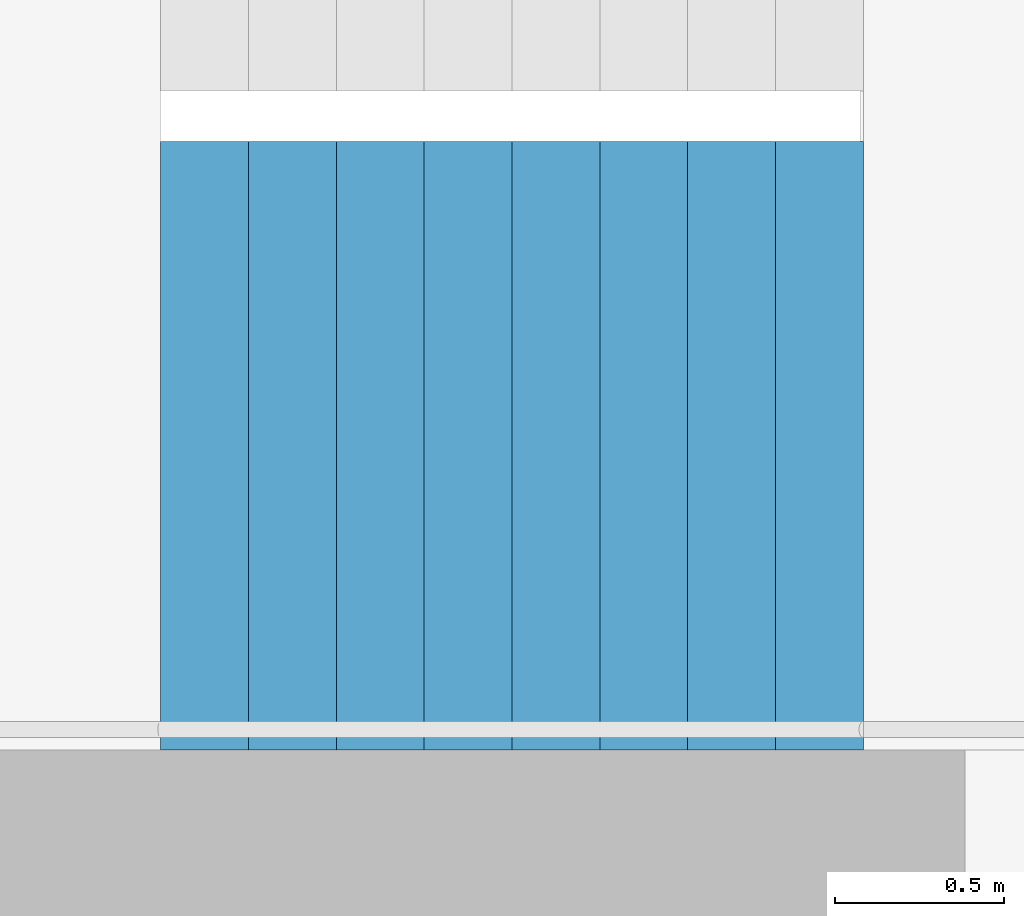
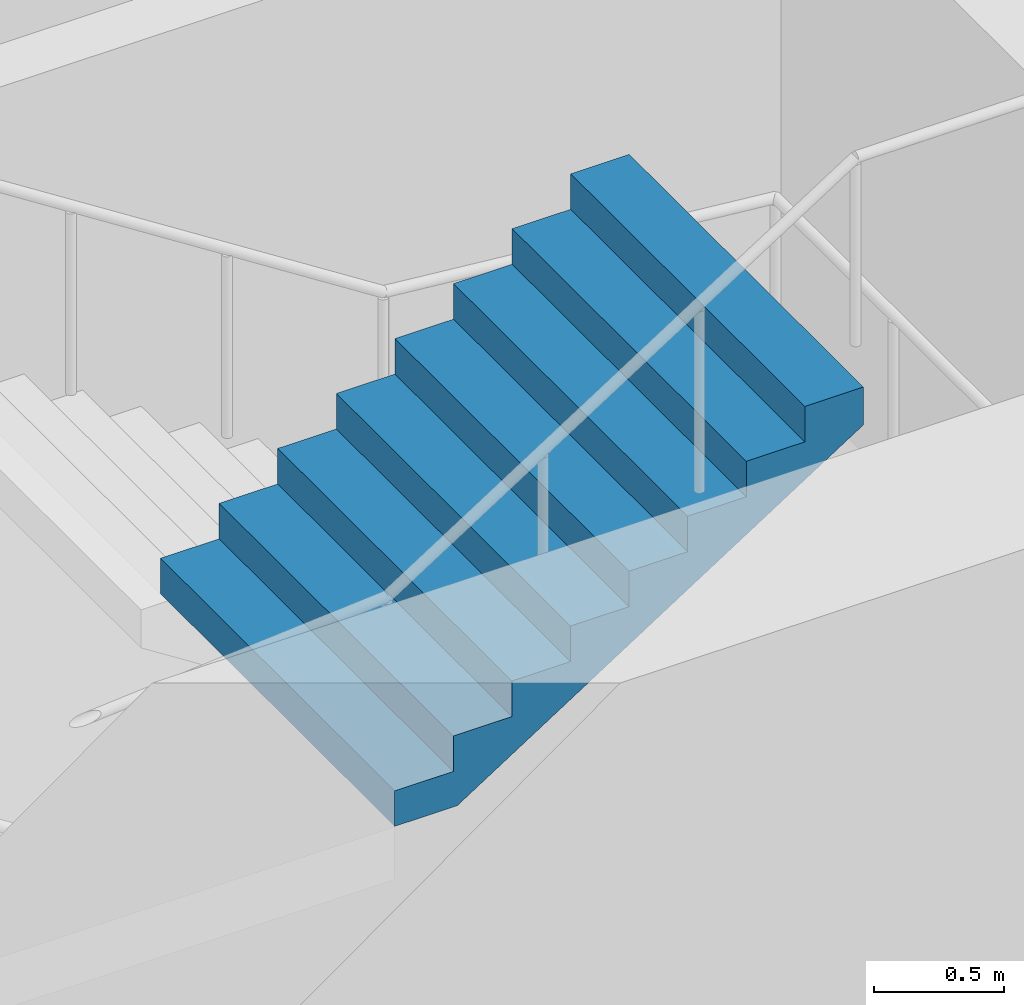
# One storey, part 19 of 35: 1 stair flight, 1 element without a shape of its own.
"""IFC4 building model written with IfcOpenShell, lengths in metres."""

from ifc_helpers import new_model, si_unit, direction, frame, origin, place, context, subcontext, project, spatial, triangles, material, type_object, element, aggregate, save


model = new_model("IFC4")

# Units and contexts
model_context = context("Model", 3, precision=1e-05, world=origin(), true_north=direction((0.0, 1.0)))
body_context = subcontext(model_context, "Body", "Model", "MODEL_VIEW")
ifc_project = project(units=[si_unit("LENGTHUNIT", "METRE"), si_unit("AREAUNIT", "SQUARE_METRE"), si_unit("VOLUMEUNIT", "CUBIC_METRE"), si_unit("PLANEANGLEUNIT", "RADIAN"), si_unit("MASSUNIT", "GRAM", prefix="KILO")], contexts=[model_context])

# Site, building, storey
site_placement = place(None, origin())
site = spatial("IfcSite", under=ifc_project, at=site_placement, CompositionType="ELEMENT")
building_placement = place(site_placement, origin())
building = spatial("IfcBuilding", under=site, at=building_placement, Name="Hakoniwa Tower and Hamabe Station Hall", CompositionType="ELEMENT")
storey_placement = place(building_placement, frame((0.0, 0.0, 270.60009765625)))
storey = spatial("IfcBuildingStorey", under=building, at=storey_placement, Name="L76", CompositionType="ELEMENT", Elevation=270.60009765625)

# Stair, stair flight
ifc_material_1 = material(Name="Concrete C40", Category="concrete")
stair_type = type_object("IfcStairType", Name="ESCAPE STAIR 1800", PredefinedType="HALF_TURN_STAIR", material=ifc_material_1)
stair_placement = place(storey_placement, origin())
stair = element("IfcStair", 1, at=stair_placement, inside=storey, type_object=stair_type, Name="Escape stair ST-2 L76", PredefinedType="HALF_TURN_STAIR")
ifc_material_2 = material(Name="Concrete C40", Category="concrete")
stair_flight_type = type_object("IfcStairFlightType", Name="STAIR FLIGHT 1800", PredefinedType="STRAIGHT", material=ifc_material_2)
stair_flight_placement = place(storey_placement, frame((-25.47998046875, -6.60009765625, 4.5), z_axis=(0.0, 0.0, 1.0), x_axis=(1.0, 0.0, 0.0)))
stair_flight = element("IfcStairFlight", 2, at=stair_flight_placement, type_object=stair_flight_type, Name="ST-2 flight 4", NumberOfRisers=9, NumberOfTreads=8, PredefinedType="STRAIGHT", RiserHeight=0.166666667, TreadLength=0.26, context=body_context, shape_type="Tessellation", body=[
    triangles([(0.0, 0.89990234375, 0.0), (0.260009765625, 0.89990234375, 0.0), (0.27783203125, 0.89990234375, 0.0), (0.52001953125, 0.89990234375, 0.1552734375), (0.780029296875, 0.89990234375, 0.322021484375), (1.0400390625, 0.89990234375, 0.488525390625), (1.300048828125, 0.89990234375, 0.6552734375), (1.56005859375, 0.89990234375, 0.822021484375), (1.820068359375, 0.89990234375, 0.988525390625), (2.080078125, 0.89990234375, 1.1552734375), (2.080078125, 0.89990234375, 1.333251953125), (1.820068359375, 0.89990234375, 1.333251953125), (1.820068359375, 0.89990234375, 1.166748046875), (1.56005859375, 0.89990234375, 1.166748046875), (1.56005859375, 0.89990234375, 1.0), (1.300048828125, 0.89990234375, 1.0), (1.300048828125, 0.89990234375, 0.833251953125), (1.0400390625, 0.89990234375, 0.833251953125), (1.0400390625, 0.89990234375, 0.666748046875), (0.780029296875, 0.89990234375, 0.666748046875), (0.780029296875, 0.89990234375, 0.5), (0.52001953125, 0.89990234375, 0.5), (0.52001953125, 0.89990234375, 0.333251953125), (0.27783203125, 0.89990234375, 0.333251953125), (0.260009765625, 0.89990234375, 0.333251953125), (0.260009765625, 0.89990234375, 0.166748046875), (0.0, 0.89990234375, 0.166748046875), (0.0, 0.06005859375, 0.0), (0.260009765625, 0.06005859375, 0.0), (0.27783203125, 0.06005859375, 0.0), (0.52001953125, 0.06005859375, 0.1552734375), (0.780029296875, 0.06005859375, 0.322021484375), (1.0400390625, 0.06005859375, 0.488525390625), (1.300048828125, 0.06005859375, 0.6552734375), (1.56005859375, 0.06005859375, 0.822021484375), (1.820068359375, 0.06005859375, 0.988525390625), (2.080078125, 0.06005859375, 1.1552734375), (2.080078125, 0.06005859375, 1.333251953125), (1.820068359375, 0.06005859375, 1.333251953125), (1.820068359375, 0.06005859375, 1.166748046875), (1.56005859375, 0.06005859375, 1.166748046875), (1.56005859375, 0.06005859375, 1.0), (1.300048828125, 0.06005859375, 1.0), (1.300048828125, 0.06005859375, 0.833251953125), (1.0400390625, 0.06005859375, 0.833251953125), (1.0400390625, 0.06005859375, 0.666748046875), (0.780029296875, 0.06005859375, 0.666748046875), (0.780029296875, 0.06005859375, 0.5), (0.52001953125, 0.06005859375, 0.5), (0.52001953125, 0.06005859375, 0.333251953125), (0.27783203125, 0.06005859375, 0.333251953125), (0.260009765625, 0.06005859375, 0.333251953125), (0.260009765625, 0.06005859375, 0.166748046875), (0.0, 0.06005859375, 0.166748046875), (0.0, 0.04296875, 0.0), (0.260009765625, 0.04296875, 0.0), (0.27783203125, 0.04296875, 0.0), (0.52001953125, 0.04296875, 0.1552734375), (0.780029296875, 0.04296875, 0.322021484375), (1.0400390625, 0.04296875, 0.488525390625), (1.300048828125, 0.04296875, 0.6552734375), (1.56005859375, 0.04296875, 0.822021484375), (1.820068359375, 0.04296875, 0.988525390625), (2.080078125, 0.04296875, 1.1552734375), (2.080078125, 0.04296875, 1.333251953125), (1.820068359375, 0.04296875, 1.333251953125), (1.820068359375, 0.04296875, 1.166748046875), (1.56005859375, 0.04296875, 1.166748046875), (1.56005859375, 0.04296875, 1.0), (1.300048828125, 0.04296875, 1.0), (1.300048828125, 0.04296875, 0.833251953125), (1.0400390625, 0.04296875, 0.833251953125), (1.0400390625, 0.04296875, 0.666748046875), (0.780029296875, 0.04296875, 0.666748046875), (0.780029296875, 0.04296875, 0.5), (0.52001953125, 0.04296875, 0.5), (0.52001953125, 0.04296875, 0.333251953125), (0.27783203125, 0.04296875, 0.333251953125), (0.260009765625, 0.04296875, 0.333251953125), (0.260009765625, 0.04296875, 0.166748046875), (0.0, 0.04296875, 0.166748046875), (0.0, 0.025634765625, 0.0), (0.260009765625, 0.025634765625, 0.0), (0.27783203125, 0.025634765625, 0.0), (0.52001953125, 0.025634765625, 0.1552734375), (0.780029296875, 0.025634765625, 0.322021484375), (1.0400390625, 0.025634765625, 0.488525390625), (1.300048828125, 0.025634765625, 0.6552734375), (1.56005859375, 0.025634765625, 0.822021484375), (1.820068359375, 0.025634765625, 0.988525390625), (2.080078125, 0.025634765625, 1.1552734375), (2.080078125, 0.025634765625, 1.333251953125), (1.820068359375, 0.025634765625, 1.333251953125), (1.820068359375, 0.025634765625, 1.166748046875), (1.56005859375, 0.025634765625, 1.166748046875), (1.56005859375, 0.025634765625, 1.0), (1.300048828125, 0.025634765625, 1.0), (1.300048828125, 0.025634765625, 0.833251953125), (1.0400390625, 0.025634765625, 0.833251953125), (1.0400390625, 0.025634765625, 0.666748046875), (0.780029296875, 0.025634765625, 0.666748046875), (0.780029296875, 0.025634765625, 0.5), (0.52001953125, 0.025634765625, 0.5), (0.52001953125, 0.025634765625, 0.333251953125), (0.27783203125, 0.025634765625, 0.333251953125), (0.260009765625, 0.025634765625, 0.333251953125), (0.260009765625, 0.025634765625, 0.166748046875), (0.0, 0.025634765625, 0.166748046875), (0.0, 0.008544921875, 0.0), (0.260009765625, 0.008544921875, 0.0), (0.27783203125, 0.008544921875, 0.0), (0.52001953125, 0.008544921875, 0.1552734375), (0.780029296875, 0.008544921875, 0.322021484375), (1.0400390625, 0.008544921875, 0.488525390625), (1.300048828125, 0.008544921875, 0.6552734375), (1.56005859375, 0.008544921875, 0.822021484375), (1.820068359375, 0.008544921875, 0.988525390625), (2.080078125, 0.008544921875, 1.1552734375), (2.080078125, 0.008544921875, 1.333251953125), (1.820068359375, 0.008544921875, 1.333251953125), (1.820068359375, 0.008544921875, 1.166748046875), (1.56005859375, 0.008544921875, 1.166748046875), (1.56005859375, 0.008544921875, 1.0), (1.300048828125, 0.008544921875, 1.0), (1.300048828125, 0.008544921875, 0.833251953125), (1.0400390625, 0.008544921875, 0.833251953125), (1.0400390625, 0.008544921875, 0.666748046875), (0.780029296875, 0.008544921875, 0.666748046875), (0.780029296875, 0.008544921875, 0.5), (0.52001953125, 0.008544921875, 0.5), (0.52001953125, 0.008544921875, 0.333251953125), (0.27783203125, 0.008544921875, 0.333251953125), (0.260009765625, 0.008544921875, 0.333251953125), (0.260009765625, 0.008544921875, 0.166748046875), (0.0, 0.008544921875, 0.166748046875), (0.0, -0.008544921875, 0.0), (0.260009765625, -0.008544921875, 0.0), (0.27783203125, -0.008544921875, 0.0), (0.52001953125, -0.008544921875, 0.1552734375), (0.780029296875, -0.008544921875, 0.322021484375), (1.0400390625, -0.008544921875, 0.488525390625), (1.300048828125, -0.008544921875, 0.6552734375), (1.56005859375, -0.008544921875, 0.822021484375), (1.820068359375, -0.008544921875, 0.988525390625), (2.080078125, -0.008544921875, 1.1552734375), (2.080078125, -0.008544921875, 1.333251953125), (1.820068359375, -0.008544921875, 1.333251953125), (1.820068359375, -0.008544921875, 1.166748046875), (1.56005859375, -0.008544921875, 1.166748046875), (1.56005859375, -0.008544921875, 1.0), (1.300048828125, -0.008544921875, 1.0), (1.300048828125, -0.008544921875, 0.833251953125), (1.0400390625, -0.008544921875, 0.833251953125), (1.0400390625, -0.008544921875, 0.666748046875), (0.780029296875, -0.008544921875, 0.666748046875), (0.780029296875, -0.008544921875, 0.5), (0.52001953125, -0.008544921875, 0.5), (0.52001953125, -0.008544921875, 0.333251953125), (0.27783203125, -0.008544921875, 0.333251953125), (0.260009765625, -0.008544921875, 0.333251953125), (0.260009765625, -0.008544921875, 0.166748046875), (0.0, -0.008544921875, 0.166748046875), (0.0, -0.025634765625, 0.0), (0.260009765625, -0.025634765625, 0.0), (0.27783203125, -0.025634765625, 0.0), (0.52001953125, -0.025634765625, 0.1552734375), (0.780029296875, -0.025634765625, 0.322021484375), (1.0400390625, -0.025634765625, 0.488525390625), (1.300048828125, -0.025634765625, 0.6552734375), (1.56005859375, -0.025634765625, 0.822021484375), (1.820068359375, -0.025634765625, 0.988525390625), (2.080078125, -0.025634765625, 1.1552734375), (2.080078125, -0.025634765625, 1.333251953125), (1.820068359375, -0.025634765625, 1.333251953125), (1.820068359375, -0.025634765625, 1.166748046875), (1.56005859375, -0.025634765625, 1.166748046875), (1.56005859375, -0.025634765625, 1.0), (1.300048828125, -0.025634765625, 1.0), (1.300048828125, -0.025634765625, 0.833251953125), (1.0400390625, -0.025634765625, 0.833251953125), (1.0400390625, -0.025634765625, 0.666748046875), (0.780029296875, -0.025634765625, 0.666748046875), (0.780029296875, -0.025634765625, 0.5), (0.52001953125, -0.025634765625, 0.5), (0.52001953125, -0.025634765625, 0.333251953125), (0.27783203125, -0.025634765625, 0.333251953125), (0.260009765625, -0.025634765625, 0.333251953125), (0.260009765625, -0.025634765625, 0.166748046875), (0.0, -0.025634765625, 0.166748046875), (0.0, -0.04296875, 0.0), (0.260009765625, -0.04296875, 0.0), (0.27783203125, -0.04296875, 0.0), (0.52001953125, -0.04296875, 0.1552734375), (0.780029296875, -0.04296875, 0.322021484375), (1.0400390625, -0.04296875, 0.488525390625), (1.300048828125, -0.04296875, 0.6552734375), (1.56005859375, -0.04296875, 0.822021484375), (1.820068359375, -0.04296875, 0.988525390625), (2.080078125, -0.04296875, 1.1552734375), (2.080078125, -0.04296875, 1.333251953125), (1.820068359375, -0.04296875, 1.333251953125), (1.820068359375, -0.04296875, 1.166748046875), (1.56005859375, -0.04296875, 1.166748046875), (1.56005859375, -0.04296875, 1.0), (1.300048828125, -0.04296875, 1.0), (1.300048828125, -0.04296875, 0.833251953125), (1.0400390625, -0.04296875, 0.833251953125), (1.0400390625, -0.04296875, 0.666748046875), (0.780029296875, -0.04296875, 0.666748046875), (0.780029296875, -0.04296875, 0.5), (0.52001953125, -0.04296875, 0.5), (0.52001953125, -0.04296875, 0.333251953125), (0.27783203125, -0.04296875, 0.333251953125), (0.260009765625, -0.04296875, 0.333251953125), (0.260009765625, -0.04296875, 0.166748046875), (0.0, -0.04296875, 0.166748046875), (0.0, -0.06005859375, 0.0), (0.260009765625, -0.06005859375, 0.0), (0.27783203125, -0.06005859375, 0.0), (0.52001953125, -0.06005859375, 0.1552734375), (0.780029296875, -0.06005859375, 0.322021484375), (1.0400390625, -0.06005859375, 0.488525390625), (1.300048828125, -0.06005859375, 0.6552734375), (1.56005859375, -0.06005859375, 0.822021484375), (1.820068359375, -0.06005859375, 0.988525390625), (2.080078125, -0.06005859375, 1.1552734375), (2.080078125, -0.06005859375, 1.333251953125), (1.820068359375, -0.06005859375, 1.333251953125), (1.820068359375, -0.06005859375, 1.166748046875), (1.56005859375, -0.06005859375, 1.166748046875), (1.56005859375, -0.06005859375, 1.0), (1.300048828125, -0.06005859375, 1.0), (1.300048828125, -0.06005859375, 0.833251953125), (1.0400390625, -0.06005859375, 0.833251953125), (1.0400390625, -0.06005859375, 0.666748046875), (0.780029296875, -0.06005859375, 0.666748046875), (0.780029296875, -0.06005859375, 0.5), (0.52001953125, -0.06005859375, 0.5), (0.52001953125, -0.06005859375, 0.333251953125), (0.27783203125, -0.06005859375, 0.333251953125), (0.260009765625, -0.06005859375, 0.333251953125), (0.260009765625, -0.06005859375, 0.166748046875), (0.0, -0.06005859375, 0.166748046875), (0.0, -0.89990234375, 0.0), (0.260009765625, -0.89990234375, 0.0), (0.27783203125, -0.89990234375, 0.0), (0.52001953125, -0.89990234375, 0.1552734375), (0.780029296875, -0.89990234375, 0.322021484375), (1.0400390625, -0.89990234375, 0.488525390625), (1.300048828125, -0.89990234375, 0.6552734375), (1.56005859375, -0.89990234375, 0.822021484375), (1.820068359375, -0.89990234375, 0.988525390625), (2.080078125, -0.89990234375, 1.1552734375), (2.080078125, -0.89990234375, 1.333251953125), (1.820068359375, -0.89990234375, 1.333251953125), (1.820068359375, -0.89990234375, 1.166748046875), (1.56005859375, -0.89990234375, 1.166748046875), (1.56005859375, -0.89990234375, 1.0), (1.300048828125, -0.89990234375, 1.0), (1.300048828125, -0.89990234375, 0.833251953125), (1.0400390625, -0.89990234375, 0.833251953125), (1.0400390625, -0.89990234375, 0.666748046875), (0.780029296875, -0.89990234375, 0.666748046875), (0.780029296875, -0.89990234375, 0.5), (0.52001953125, -0.89990234375, 0.5), (0.52001953125, -0.89990234375, 0.333251953125), (0.27783203125, -0.89990234375, 0.333251953125), (0.260009765625, -0.89990234375, 0.333251953125), (0.260009765625, -0.89990234375, 0.166748046875), (0.0, -0.89990234375, 0.166748046875)], [[2, 27, 26], [245, 269, 270], [2, 1, 27], [245, 270, 244], [3, 25, 24], [246, 267, 268], [3, 26, 25], [246, 268, 269], [3, 2, 26], [246, 269, 245], [4, 24, 23], [247, 266, 267], [4, 3, 24], [247, 267, 246], [5, 22, 21], [248, 264, 265], [5, 23, 22], [248, 265, 266], [5, 4, 23], [248, 266, 247], [6, 20, 19], [249, 262, 263], [6, 21, 20], [249, 263, 264], [6, 5, 21], [249, 264, 248], [7, 18, 17], [250, 260, 261], [7, 19, 18], [250, 261, 262], [7, 6, 19], [250, 262, 249], [8, 16, 15], [251, 258, 259], [8, 17, 16], [251, 259, 260], [8, 7, 17], [251, 260, 250], [9, 14, 13], [252, 256, 257], [9, 15, 14], [252, 257, 258], [9, 8, 15], [252, 258, 251], [10, 12, 11], [253, 254, 255], [10, 13, 12], [253, 255, 256], [10, 9, 13], [253, 256, 252], [1, 2, 29], [1, 29, 28], [28, 29, 56], [28, 56, 55], [55, 56, 83], [55, 83, 82], [82, 83, 110], [82, 110, 109], [109, 110, 137], [109, 137, 136], [136, 137, 164], [136, 164, 163], [163, 164, 191], [163, 191, 190], [190, 191, 218], [190, 218, 217], [217, 218, 245], [217, 245, 244], [2, 3, 30], [2, 30, 29], [29, 30, 57], [29, 57, 56], [56, 57, 84], [56, 84, 83], [83, 84, 111], [83, 111, 110], [110, 111, 138], [110, 138, 137], [137, 138, 165], [137, 165, 164], [164, 165, 192], [164, 192, 191], [191, 192, 219], [191, 219, 218], [218, 219, 246], [218, 246, 245], [3, 4, 31], [3, 31, 30], [30, 31, 58], [30, 58, 57], [57, 58, 85], [57, 85, 84], [84, 85, 112], [84, 112, 111], [111, 112, 139], [111, 139, 138], [138, 139, 166], [138, 166, 165], [165, 166, 193], [165, 193, 192], [192, 193, 220], [192, 220, 219], [219, 220, 247], [219, 247, 246], [4, 5, 32], [4, 32, 31], [31, 32, 59], [31, 59, 58], [58, 59, 86], [58, 86, 85], [85, 86, 113], [85, 113, 112], [112, 113, 140], [112, 140, 139], [139, 140, 167], [139, 167, 166], [166, 167, 194], [166, 194, 193], [193, 194, 221], [193, 221, 220], [220, 221, 248], [220, 248, 247], [5, 6, 33], [5, 33, 32], [32, 33, 60], [32, 60, 59], [59, 60, 87], [59, 87, 86], [86, 87, 114], [86, 114, 113], [113, 114, 141], [113, 141, 140], [140, 141, 168], [140, 168, 167], [167, 168, 195], [167, 195, 194], [194, 195, 222], [194, 222, 221], [221, 222, 249], [221, 249, 248], [6, 7, 34], [6, 34, 33], [33, 34, 61], [33, 61, 60], [60, 61, 88], [60, 88, 87], [87, 88, 115], [87, 115, 114], [114, 115, 142], [114, 142, 141], [141, 142, 169], [141, 169, 168], [168, 169, 196], [168, 196, 195], [195, 196, 223], [195, 223, 222], [222, 223, 250], [222, 250, 249], [7, 8, 35], [7, 35, 34], [34, 35, 62], [34, 62, 61], [61, 62, 89], [61, 89, 88], [88, 89, 116], [88, 116, 115], [115, 116, 143], [115, 143, 142], [142, 143, 170], [142, 170, 169], [169, 170, 197], [169, 197, 196], [196, 197, 224], [196, 224, 223], [223, 224, 251], [223, 251, 250], [8, 9, 36], [8, 36, 35], [35, 36, 63], [35, 63, 62], [62, 63, 90], [62, 90, 89], [89, 90, 117], [89, 117, 116], [116, 117, 144], [116, 144, 143], [143, 144, 171], [143, 171, 170], [170, 171, 198], [170, 198, 197], [197, 198, 225], [197, 225, 224], [224, 225, 252], [224, 252, 251], [9, 10, 37], [9, 37, 36], [36, 37, 64], [36, 64, 63], [63, 64, 91], [63, 91, 90], [90, 91, 118], [90, 118, 117], [117, 118, 145], [117, 145, 144], [144, 145, 172], [144, 172, 171], [171, 172, 199], [171, 199, 198], [198, 199, 226], [198, 226, 225], [225, 226, 253], [225, 253, 252], [10, 11, 38], [10, 38, 37], [37, 38, 65], [37, 65, 64], [64, 65, 92], [64, 92, 91], [91, 92, 119], [91, 119, 118], [118, 119, 146], [118, 146, 145], [145, 146, 173], [145, 173, 172], [172, 173, 200], [172, 200, 199], [199, 200, 227], [199, 227, 226], [226, 227, 254], [226, 254, 253], [11, 12, 39], [11, 39, 38], [38, 39, 66], [38, 66, 65], [65, 66, 93], [65, 93, 92], [92, 93, 120], [92, 120, 119], [119, 120, 147], [119, 147, 146], [146, 147, 174], [146, 174, 173], [173, 174, 201], [173, 201, 200], [200, 201, 228], [200, 228, 227], [227, 228, 255], [227, 255, 254], [12, 13, 40], [12, 40, 39], [39, 40, 67], [39, 67, 66], [66, 67, 94], [66, 94, 93], [93, 94, 121], [93, 121, 120], [120, 121, 148], [120, 148, 147], [147, 148, 175], [147, 175, 174], [174, 175, 202], [174, 202, 201], [201, 202, 229], [201, 229, 228], [228, 229, 256], [228, 256, 255], [13, 14, 41], [13, 41, 40], [40, 41, 68], [40, 68, 67], [67, 68, 95], [67, 95, 94], [94, 95, 122], [94, 122, 121], [121, 122, 149], [121, 149, 148], [148, 149, 176], [148, 176, 175], [175, 176, 203], [175, 203, 202], [202, 203, 230], [202, 230, 229], [229, 230, 257], [229, 257, 256], [14, 15, 42], [14, 42, 41], [41, 42, 69], [41, 69, 68], [68, 69, 96], [68, 96, 95], [95, 96, 123], [95, 123, 122], [122, 123, 150], [122, 150, 149], [149, 150, 177], [149, 177, 176], [176, 177, 204], [176, 204, 203], [203, 204, 231], [203, 231, 230], [230, 231, 258], [230, 258, 257], [15, 16, 43], [15, 43, 42], [42, 43, 70], [42, 70, 69], [69, 70, 97], [69, 97, 96], [96, 97, 124], [96, 124, 123], [123, 124, 151], [123, 151, 150], [150, 151, 178], [150, 178, 177], [177, 178, 205], [177, 205, 204], [204, 205, 232], [204, 232, 231], [231, 232, 259], [231, 259, 258], [16, 17, 44], [16, 44, 43], [43, 44, 71], [43, 71, 70], [70, 71, 98], [70, 98, 97], [97, 98, 125], [97, 125, 124], [124, 125, 152], [124, 152, 151], [151, 152, 179], [151, 179, 178], [178, 179, 206], [178, 206, 205], [205, 206, 233], [205, 233, 232], [232, 233, 260], [232, 260, 259], [17, 18, 45], [17, 45, 44], [44, 45, 72], [44, 72, 71], [71, 72, 99], [71, 99, 98], [98, 99, 126], [98, 126, 125], [125, 126, 153], [125, 153, 152], [152, 153, 180], [152, 180, 179], [179, 180, 207], [179, 207, 206], [206, 207, 234], [206, 234, 233], [233, 234, 261], [233, 261, 260], [18, 19, 46], [18, 46, 45], [45, 46, 73], [45, 73, 72], [72, 73, 100], [72, 100, 99], [99, 100, 127], [99, 127, 126], [126, 127, 154], [126, 154, 153], [153, 154, 181], [153, 181, 180], [180, 181, 208], [180, 208, 207], [207, 208, 235], [207, 235, 234], [234, 235, 262], [234, 262, 261], [19, 20, 47], [19, 47, 46], [46, 47, 74], [46, 74, 73], [73, 74, 101], [73, 101, 100], [100, 101, 128], [100, 128, 127], [127, 128, 155], [127, 155, 154], [154, 155, 182], [154, 182, 181], [181, 182, 209], [181, 209, 208], [208, 209, 236], [208, 236, 235], [235, 236, 263], [235, 263, 262], [20, 21, 48], [20, 48, 47], [47, 48, 75], [47, 75, 74], [74, 75, 102], [74, 102, 101], [101, 102, 129], [101, 129, 128], [128, 129, 156], [128, 156, 155], [155, 156, 183], [155, 183, 182], [182, 183, 210], [182, 210, 209], [209, 210, 237], [209, 237, 236], [236, 237, 264], [236, 264, 263], [21, 22, 49], [21, 49, 48], [48, 49, 76], [48, 76, 75], [75, 76, 103], [75, 103, 102], [102, 103, 130], [102, 130, 129], [129, 130, 157], [129, 157, 156], [156, 157, 184], [156, 184, 183], [183, 184, 211], [183, 211, 210], [210, 211, 238], [210, 238, 237], [237, 238, 265], [237, 265, 264], [22, 23, 50], [22, 50, 49], [49, 50, 77], [49, 77, 76], [76, 77, 104], [76, 104, 103], [103, 104, 131], [103, 131, 130], [130, 131, 158], [130, 158, 157], [157, 158, 185], [157, 185, 184], [184, 185, 212], [184, 212, 211], [211, 212, 239], [211, 239, 238], [238, 239, 266], [238, 266, 265], [23, 24, 51], [23, 51, 50], [50, 51, 78], [50, 78, 77], [77, 78, 105], [77, 105, 104], [104, 105, 132], [104, 132, 131], [131, 132, 159], [131, 159, 158], [158, 159, 186], [158, 186, 185], [185, 186, 213], [185, 213, 212], [212, 213, 240], [212, 240, 239], [239, 240, 267], [239, 267, 266], [24, 25, 52], [24, 52, 51], [51, 52, 79], [51, 79, 78], [78, 79, 106], [78, 106, 105], [105, 106, 133], [105, 133, 132], [132, 133, 160], [132, 160, 159], [159, 160, 187], [159, 187, 186], [186, 187, 214], [186, 214, 213], [213, 214, 241], [213, 241, 240], [240, 241, 268], [240, 268, 267], [25, 26, 53], [25, 53, 52], [52, 53, 80], [52, 80, 79], [79, 80, 107], [79, 107, 106], [106, 107, 134], [106, 134, 133], [133, 134, 161], [133, 161, 160], [160, 161, 188], [160, 188, 187], [187, 188, 215], [187, 215, 214], [214, 215, 242], [214, 242, 241], [241, 242, 269], [241, 269, 268], [26, 27, 54], [26, 54, 53], [53, 54, 81], [53, 81, 80], [80, 81, 108], [80, 108, 107], [107, 108, 135], [107, 135, 134], [134, 135, 162], [134, 162, 161], [161, 162, 189], [161, 189, 188], [188, 189, 216], [188, 216, 215], [215, 216, 243], [215, 243, 242], [242, 243, 270], [242, 270, 269], [27, 1, 28], [27, 28, 54], [54, 28, 55], [54, 55, 81], [81, 55, 82], [81, 82, 108], [108, 82, 109], [108, 109, 135], [135, 109, 136], [135, 136, 162], [162, 136, 163], [162, 163, 189], [189, 163, 190], [189, 190, 216], [216, 190, 217], [216, 217, 243], [243, 217, 244], [243, 244, 270]], closed=True),
])
aggregate(stair, [stair_flight])

save(model, "model.ifc")
